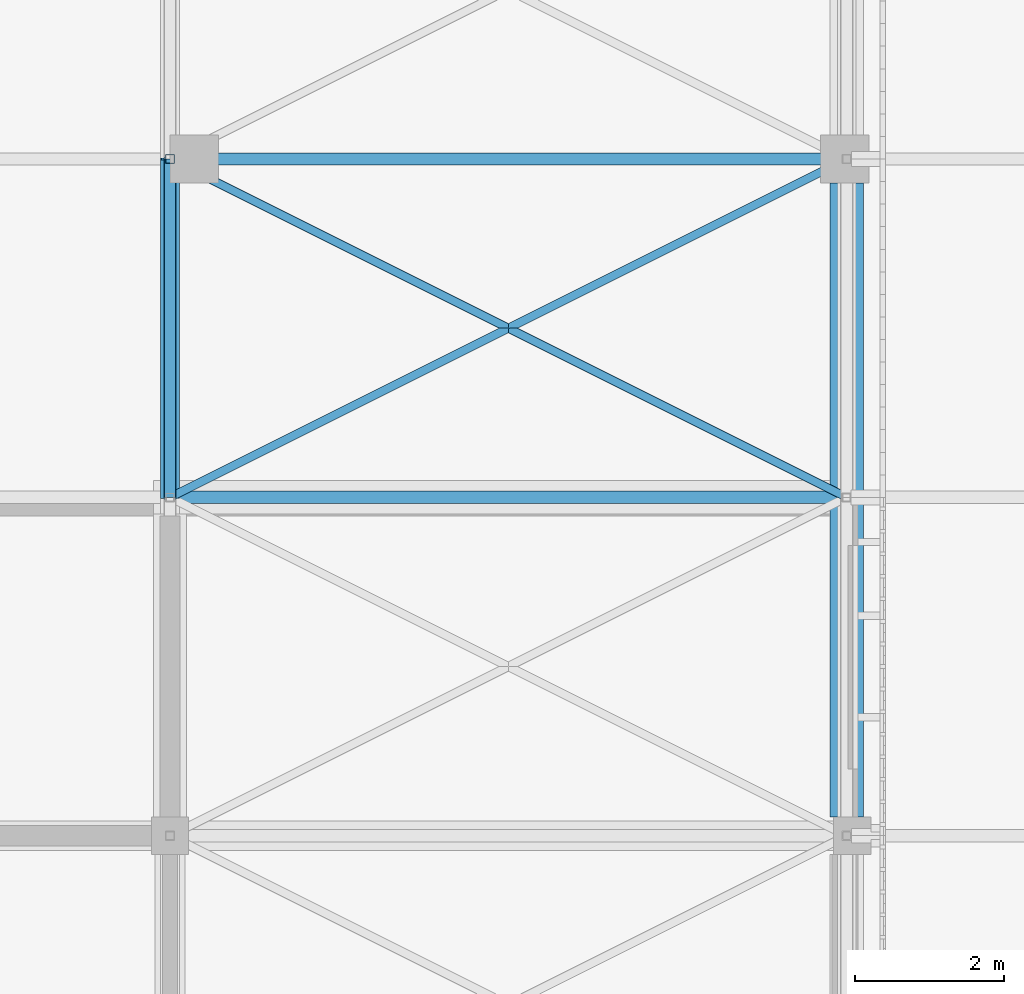
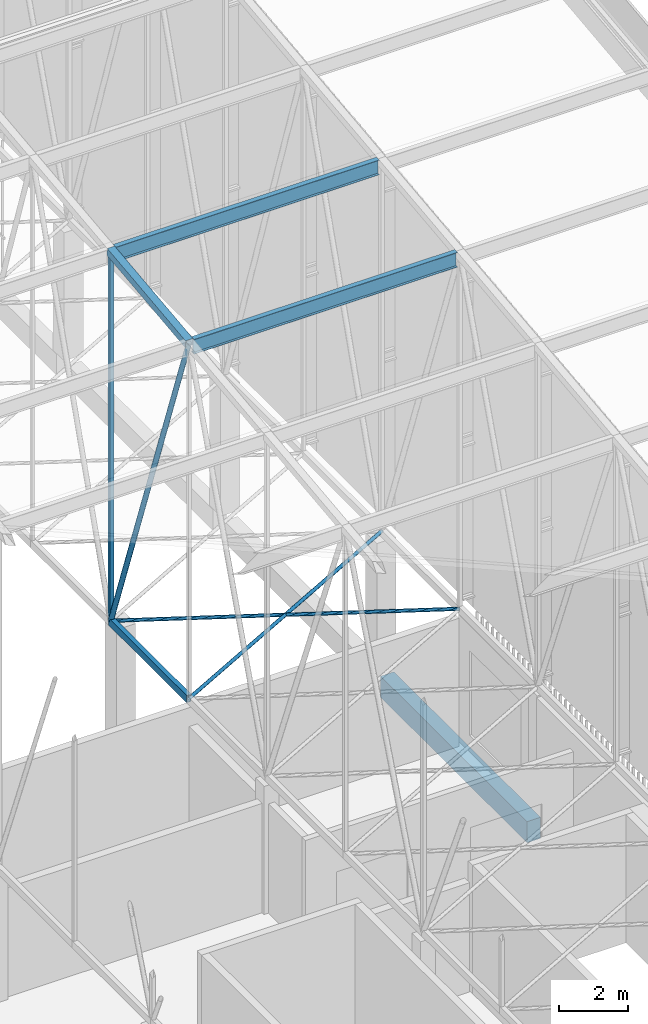
# One storey, part 363 of 500: 8 members, 1 beam.
"""IFC4 building model written with IfcOpenShell, lengths in metres."""

from ifc_helpers import new_model, si_unit, direction, frame, origin, origin_2d, place, context, subcontext, project, spatial, rectangle, hollow_rectangle, hollow_circle, i_section, extrude, material, material_profile, profile_set, type_object, element, save


model = new_model("IFC4")

# Units and contexts
model_context = context("Model", 3, precision=1e-05, world=origin(), true_north=direction((0.0, 1.0)))
body_context = subcontext(model_context, "Body", "Model", "MODEL_VIEW")
ifc_project = project(units=[si_unit("LENGTHUNIT", "METRE"), si_unit("AREAUNIT", "SQUARE_METRE"), si_unit("VOLUMEUNIT", "CUBIC_METRE"), si_unit("PLANEANGLEUNIT", "RADIAN"), si_unit("MASSUNIT", "GRAM", prefix="KILO")], contexts=[model_context])

# Site, building, storey
site_placement = place(None, origin())
site = spatial("IfcSite", under=ifc_project, at=site_placement, CompositionType="ELEMENT")
building_placement = place(site_placement, origin())
building = spatial("IfcBuilding", under=site, at=building_placement, Name="Shirokan Park Arena", CompositionType="ELEMENT")
storey_placement = place(building_placement, frame((0.0, 0.0, 29.1201171875)))
storey = spatial("IfcBuildingStorey", under=building, at=storey_placement, Name="L06", CompositionType="ELEMENT", Elevation=29.1201171875)

# Members
ifc_material_1 = material(Name="Steel ASTM A500 Grade C", Category="steel")
ifc_material_profile_1 = material_profile(ifc_material_1, hollow_rectangle(XDim=0.152099609375, YDim=0.25390625, WallThickness=0.009521484375, at=origin_2d()), Name="HSS254X152.4X9.5")
ifc_profile_set_1 = profile_set([ifc_material_profile_1], Name="Steel ASTM A500 Grade C")
member_type_1 = type_object("IfcMemberType", Name="Bottom chord HSS254X152.4X9.5", PredefinedType="CHORD", material=ifc_profile_set_1)
member_1_placement = place(storey_placement, frame((136.5, 40.949951171875, 4.677001953125), z_axis=(0.0, 1.0, 0.0), x_axis=(-1.0, 0.0, 0.0)))
element("IfcMember", 1, at=member_1_placement, inside=storey, type_object=member_type_1, Name="Truss T16 bottom chord 12", PredefinedType="CHORD", context=body_context, shape_type="SweptSolid", body=[
    extrude(hollow_rectangle(XDim=0.152099609375, YDim=0.25390625, WallThickness=0.009521484375, at=origin_2d()), origin(), (0.0, 0.0, 1.0), 4.550048828125),
])
ifc_material_profile_2 = material_profile(ifc_material_1, hollow_circle(Radius=0.056884765625, WallThickness=0.006103515625, at=origin_2d()), Name="HSS114.3X6")
ifc_profile_set_2 = profile_set([ifc_material_profile_2], Name="Steel ASTM A500 Grade C")
member_type_2 = type_object("IfcMemberType", Name="Plan bracing HSS114.3X6", PredefinedType="BRACE", material=ifc_profile_set_2)
for number, where, z_axis, x_axis, name in (
    (2, (136.5, 40.949951171875, 4.677001953125), (0.894427191, 0.4472135955, 0.0), (-0.4472135955, 0.894427191, 0.0), "Plan bracing bay 16 panel 12 A"),
    (3, (145.60009765625, 40.949951171875, 4.677001953125), (-0.894427191, 0.4472135955, 0.0), (-0.4472135955, -0.894427191, 0.0), "Plan bracing bay 16 panel 12 B"),
):
    element("IfcMember", number, at=place(storey_placement, frame(where, z_axis=z_axis, x_axis=x_axis)), inside=storey, type_object=member_type_2, Name=name, PredefinedType="BRACE", context=body_context, shape_type="SweptSolid", body=[
        extrude(hollow_circle(Radius=0.056884765625, WallThickness=0.006103515625, at=origin_2d()), origin(), (0.0, 0.0, 1.0), 10.17431640625),
    ])
ifc_material_2 = material(Name="Steel ASTM A992", Category="steel")
ifc_material_profile_3 = material_profile(ifc_material_2, i_section(OverallWidth=0.166015625, OverallDepth=0.528076171875, WebThickness=0.009765625, FlangeThickness=0.013671875, at=origin_2d()), Name="W530X74")
ifc_profile_set_3 = profile_set([ifc_material_profile_3], Name="Steel ASTM A992")
member_type_3 = type_object("IfcMemberType", Name="Purlin W530X74", PredefinedType="PURLIN", material=ifc_profile_set_3)
for number, where, z_axis, x_axis, name in (
    (4, (136.626953125, 40.949951171875, 17.165771484375), (1.0, 0.0, 0.0), (0.0, 1.0, 0.0), "Purlin 12 bay 16"),
    (5, (136.626953125, 45.5, 17.685791015625), (1.0, 0.0, 0.0), (0.0, 1.0, 0.0), "Purlin 13 bay 16"),
):
    element("IfcMember", number, at=place(storey_placement, frame(where, z_axis=z_axis, x_axis=x_axis)), inside=storey, type_object=member_type_3, Name=name, PredefinedType="PURLIN", context=body_context, shape_type="SweptSolid", body=[
        extrude(i_section(OverallWidth=0.166015625, OverallDepth=0.528076171875, WebThickness=0.009765625, FlangeThickness=0.013671875, at=origin_2d()), origin(), (0.0, 0.0, 1.0), 8.845947265625),
    ])

# Beam
ifc_material_3 = material(Name="Concrete C35", Category="concrete")
ifc_material_profile_4 = material_profile(ifc_material_3, rectangle(XDim=0.449951171875, YDim=0.75, at=origin_2d()), Name="450x750")
ifc_profile_set_4 = profile_set([ifc_material_profile_4], Name="Concrete C35")
beam_type = type_object("IfcBeamType", Name="RC girder 450x750", PredefinedType="BEAM", material=ifc_profile_set_4)
beam_placement = place(storey_placement, frame((145.60009765625, 36.650146484375, -0.5751953125), z_axis=(0.0, 1.0, 0.0), x_axis=(-1.0, 0.0, 0.0)))
element("IfcBeam", 6, at=beam_placement, inside=storey, type_object=beam_type, Name="Girder 17E-17F L06", PredefinedType="BEAM", context=body_context, shape_type="SweptSolid", body=[
    extrude(rectangle(XDim=0.449951171875, YDim=0.75, at=origin_2d()), origin(), (0.0, 0.0, 1.0), 8.524658203125),
])

# Members
ifc_material_profile_5 = material_profile(ifc_material_1, hollow_rectangle(XDim=0.25390625, YDim=0.25390625, WallThickness=0.009521484375, at=origin_2d()), Name="HSS254X254X9.5")
ifc_profile_set_5 = profile_set([ifc_material_profile_5], Name="Steel ASTM A500 Grade C")
member_type_4 = type_object("IfcMemberType", Name="Top chord HSS254X254X9.5", PredefinedType="CHORD", material=ifc_profile_set_5)
member_2_placement = place(storey_placement, frame((136.5, 40.949951171875, 17.302978515625), z_axis=(0.0, 0.993532328996, 0.113549598152), x_axis=(-1.0, 0.0, 0.0)))
element("IfcMember", 7, at=member_2_placement, inside=storey, type_object=member_type_4, Name="Truss T16 top chord 12", PredefinedType="CHORD", context=body_context, shape_type="SweptSolid", body=[
    extrude(hollow_rectangle(XDim=0.25390625, YDim=0.25390625, WallThickness=0.009521484375, at=origin_2d()), origin(), (0.0, 0.0, 1.0), 4.57958984375),
])
ifc_material_profile_6 = material_profile(ifc_material_1, hollow_circle(Radius=0.083984375, WallThickness=0.009521484375, at=origin_2d()), Name="HSS168.3X9.5")
ifc_profile_set_6 = profile_set([ifc_material_profile_6], Name="Steel ASTM A500 Grade C")
member_type_5 = type_object("IfcMemberType", Name="Truss diagonal HSS168.3X9.5", PredefinedType="BRACE", material=ifc_profile_set_6)
member_3_placement = place(storey_placement, frame((136.5, 40.949951171875, 17.302978515625), z_axis=(0.0, 0.339029292845, -0.940775817394), x_axis=(-1.0, 0.0, 0.0)))
element("IfcMember", 8, at=member_3_placement, inside=storey, type_object=member_type_5, Name="Truss T16 diagonal 12", PredefinedType="BRACE", context=body_context, shape_type="SweptSolid", body=[
    extrude(hollow_circle(Radius=0.083984375, WallThickness=0.009521484375, at=origin_2d()), origin(), (0.0, 0.0, 1.0), 13.4208984375),
])
ifc_material_profile_7 = material_profile(ifc_material_1, hollow_rectangle(XDim=0.126953125, YDim=0.126953125, WallThickness=0.0126953125, at=origin_2d()), Name="HSS127X127X12.7")
ifc_profile_set_7 = profile_set([ifc_material_profile_7], Name="Steel ASTM A500 Grade C")
member_type_6 = type_object("IfcMemberType", Name="Truss post HSS127X127X12.7", PredefinedType="POST", material=ifc_profile_set_7)
member_4_placement = place(storey_placement, frame((136.5, 45.5, 4.677001953125), z_axis=(0.0, 0.0, 1.0), x_axis=(1.0, 0.0, 0.0)))
element("IfcMember", 9, at=member_4_placement, inside=storey, type_object=member_type_6, Name="Truss T16 post 13", PredefinedType="POST", context=body_context, shape_type="SweptSolid", body=[
    extrude(hollow_rectangle(XDim=0.126953125, YDim=0.126953125, WallThickness=0.0126953125, at=origin_2d()), origin(), (0.0, 0.0, 1.0), 13.14599609375),
])

save(model, "model.ifc")
